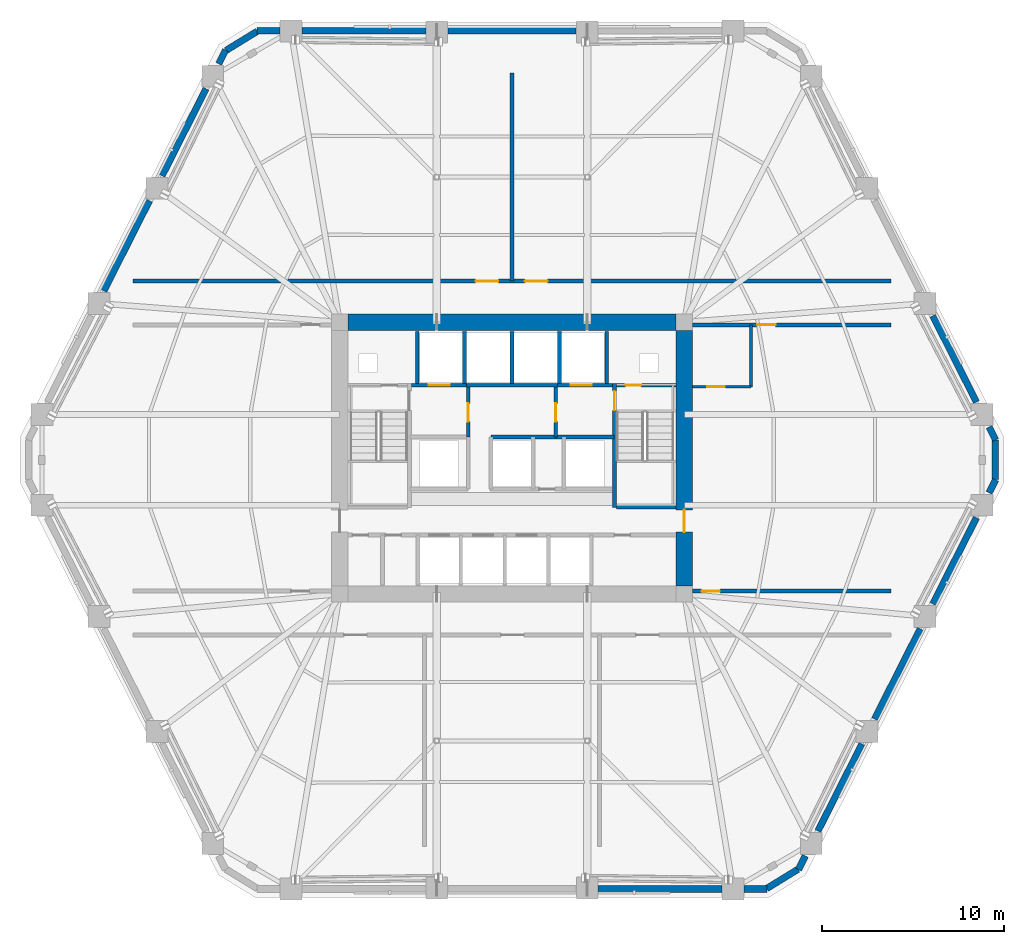
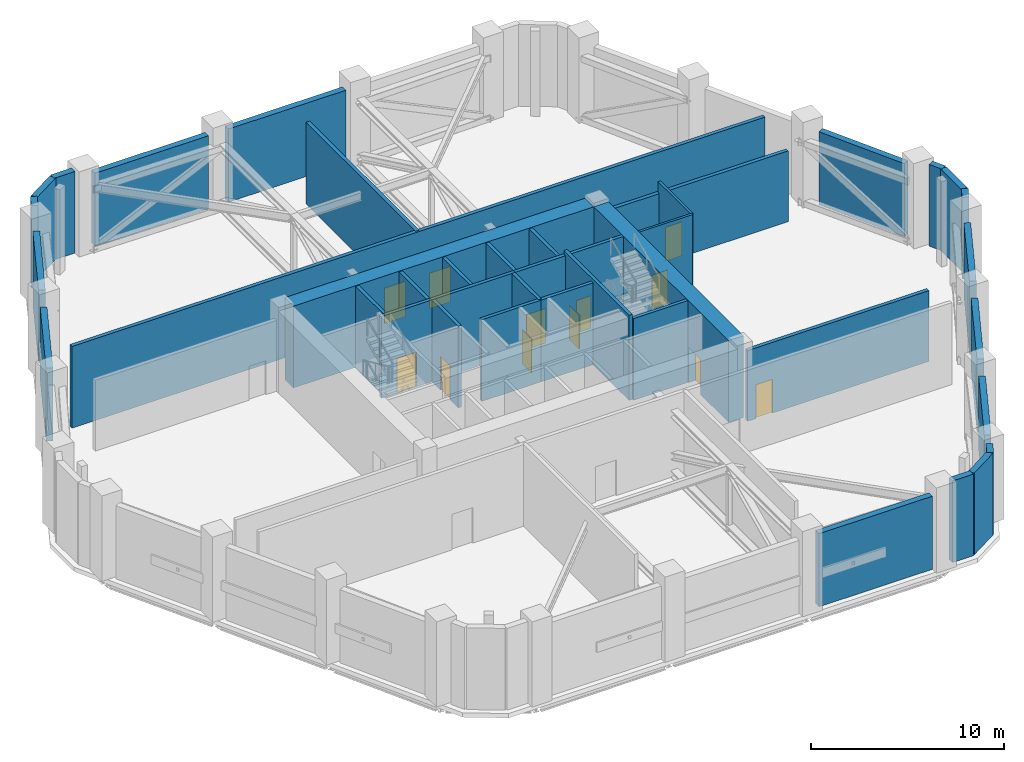
# One storey, part 12 of 19: 41 walls, 12 doors, 12 openings.
"""IFC4 building model written with IfcOpenShell, lengths in metres."""

from ifc_helpers import new_model, si_unit, direction, frame, frame_2d, origin, place, context, subcontext, project, spatial, rectangle, extrude, material, layer, layer_set, type_object, element, fill, save


model = new_model("IFC4")

# Units and contexts
model_context = context("Model", 3, precision=1e-05, world=origin(), true_north=direction((0.0, 1.0)))
body_context = subcontext(model_context, "Body", "Model", "MODEL_VIEW")
ifc_project = project(units=[si_unit("LENGTHUNIT", "METRE"), si_unit("AREAUNIT", "SQUARE_METRE"), si_unit("VOLUMEUNIT", "CUBIC_METRE"), si_unit("PLANEANGLEUNIT", "RADIAN"), si_unit("MASSUNIT", "GRAM", prefix="KILO")], contexts=[model_context])

# Site, building, storey
site_placement = place(None, origin())
site = spatial("IfcSite", under=ifc_project, at=site_placement, CompositionType="ELEMENT")
building_placement = place(site_placement, origin())
building = spatial("IfcBuilding", under=site, at=building_placement, Name="Cinnabar Lancet Tower", CompositionType="ELEMENT")
storey_placement = place(building_placement, frame((0.0, 0.0, 74.60009765625)))
storey = spatial("IfcBuildingStorey", under=building, at=storey_placement, Name="L19", CompositionType="ELEMENT", Elevation=74.60009765625)

# Wall, opening, door
ifc_material_1 = material(Name="Acoustic masonry plant room wall", Category="masonry")
ifc_layer_1 = layer(ifc_material_1, 0.219970703125)
ifc_layer_set_1 = layer_set([ifc_layer_1], Name="Acoustic masonry plant room wall")
wall_type_1 = type_object("IfcWallType", Name="ARC-WL-PLANT-220", PredefinedType="PARTITIONING", material=ifc_layer_set_1)
wall_1_placement = place(storey_placement, frame((42.300048828125, 18.60009765625, 0.0), z_axis=(0.0, 0.0, 1.0), x_axis=(1.0, 0.0, 0.0)))
wall_1 = element("IfcWall", 1, at=wall_1_placement, inside=storey, type_object=wall_type_1, Name="PW-L19-RFES", PredefinedType="PARTITIONING", context=body_context, shape_type="SweptSolid", body=[
    extrude(rectangle(XDim=10.867919921875, YDim=0.219970703125, at=frame_2d((5.43408203125, 0.0))), origin(), (0.0, 0.0, 1.0), 4.48681640625),
])
opening_1_placement = place(wall_1_placement, frame((0.5, 0.0, 0.0)))
opening_1 = element("IfcOpeningElement", 2, at=opening_1_placement, cuts=wall_1, Name="Opening FD-01", PredefinedType="OPENING", context=body_context, shape_type="SweptSolid", body=[
    extrude(rectangle(XDim=1.0, YDim=2.14990234375, at=frame_2d((0.5, 1.074951171875))), frame((0.0, 0.119873046875, 0.0), z_axis=(0.0, -1.0, 0.0), x_axis=(1.0, 0.0, 0.0)), (0.0, 0.0, 1.0), 0.239990234375),
])
ifc_material_2 = material(Name="Fire-rated timber-core lobby door", Category="wood")
door_type_1 = type_object("IfcDoorType", Name="ARC-DR-FFAL", OperationType="NOTDEFINED", PredefinedType="DOOR", material=ifc_material_2)
door_1_placement = place(opening_1_placement, origin())
door_1 = element("IfcDoor", 3, at=door_1_placement, inside=storey, type_object=door_type_1, Name="L19 Plant Corridor Fire Door RES", OperationType="SINGLE_SWING_LEFT", OverallHeight=2.14990234375, OverallWidth=1.0, PredefinedType="DOOR", context=body_context, shape_type="SweptSolid", body=[
    extrude(rectangle(XDim=1.0, YDim=2.14990234375, at=frame_2d((0.5, 1.074951171875))), frame((0.0, 0.02490234375, 0.0), z_axis=(0.0, -1.0, 0.0), x_axis=(1.0, 0.0, 0.0)), (0.0, 0.0, 1.0), 0.050048828125),
])
fill(opening_1, door_1)

wall_2_placement = place(storey_placement, frame((42.300048828125, 33.199951171875, 0.0), z_axis=(0.0, 0.0, 1.0), x_axis=(1.0, 0.0, 0.0)))
wall_2 = element("IfcWall", 4, at=wall_2_placement, inside=storey, type_object=wall_type_1, Name="PW-L19-RFEN", PredefinedType="PARTITIONING", context=body_context, shape_type="SweptSolid", body=[
    extrude(rectangle(XDim=10.867919921875, YDim=0.219970703125, at=frame_2d((5.43408203125, 0.0))), origin(), (0.0, 0.0, 1.0), 4.48681640625),
])
opening_2_placement = place(wall_2_placement, frame((3.550048828125, 0.0, 0.0)))
opening_2 = element("IfcOpeningElement", 5, at=opening_2_placement, cuts=wall_2, Name="Opening FD-01", PredefinedType="OPENING", context=body_context, shape_type="SweptSolid", body=[
    extrude(rectangle(XDim=1.0, YDim=2.14990234375, at=frame_2d((0.5, 1.074951171875))), frame((0.0, 0.119873046875, 0.0), z_axis=(0.0, -1.0, 0.0), x_axis=(1.0, 0.0, 0.0)), (0.0, 0.0, 1.0), 0.239990234375),
])
door_2_placement = place(opening_2_placement, origin())
door_2 = element("IfcDoor", 6, at=door_2_placement, inside=storey, type_object=door_type_1, Name="L19 Plant Corridor Fire Door REN", OperationType="SINGLE_SWING_LEFT", OverallHeight=2.14990234375, OverallWidth=1.0, PredefinedType="DOOR", context=body_context, shape_type="SweptSolid", body=[
    extrude(rectangle(XDim=1.0, YDim=2.14990234375, at=frame_2d((0.5, 1.074951171875))), frame((0.0, 0.02490234375, 0.0), z_axis=(0.0, -1.0, 0.0), x_axis=(1.0, 0.0, 0.0)), (0.0, 0.0, 1.0), 0.050048828125),
])
fill(opening_2, door_2)

# Wall, openings, doors
wall_3_placement = place(storey_placement, frame((11.632080078125, 35.60009765625, 0.0), z_axis=(0.0, 0.0, 1.0), x_axis=(1.0, 0.0, 0.0)))
wall_3 = element("IfcWall", 7, at=wall_3_placement, inside=storey, type_object=wall_type_1, Name="PW-L19-NPLN", PredefinedType="PARTITIONING", context=body_context, shape_type="SweptSolid", body=[
    extrude(rectangle(XDim=41.535888671875, YDim=0.219970703125, at=frame_2d((20.76806640625, 0.0))), origin(), (0.0, 0.0, 1.0), 5.179931640625),
])
opening_3_placement = place(wall_3_placement, frame((18.76806640625, 0.0, 0.0)))
opening_3 = element("IfcOpeningElement", 8, at=opening_3_placement, cuts=wall_3, Name="Opening PD-01", PredefinedType="OPENING", context=body_context, shape_type="SweptSolid", body=[
    extrude(rectangle(XDim=1.25, YDim=2.25, at=frame_2d((0.625, 1.125))), frame((0.0, 0.119873046875, 0.0), z_axis=(0.0, -1.0, 0.0), x_axis=(1.0, 0.0, 0.0)), (0.0, 0.0, 1.0), 0.239990234375),
])
opening_4_placement = place(wall_3_placement, frame((21.468017578125, 0.0, 0.0)))
opening_4 = element("IfcOpeningElement", 9, at=opening_4_placement, cuts=wall_3, Name="Opening PD-01", PredefinedType="OPENING", context=body_context, shape_type="SweptSolid", body=[
    extrude(rectangle(XDim=1.25, YDim=2.25, at=frame_2d((0.625, 1.125))), frame((0.0, 0.119873046875, 0.0), z_axis=(0.0, -1.0, 0.0), x_axis=(1.0, 0.0, 0.0)), (0.0, 0.0, 1.0), 0.239990234375),
])
ifc_material_3 = material(Name="Louvred fire-rated steel plant room double door", Category="steel")
door_type_2 = type_object("IfcDoorType", Name="ARC-DR-PLANT", OperationType="NOTDEFINED", PredefinedType="DOOR", material=ifc_material_3)
door_3_placement = place(opening_3_placement, origin())
door_3 = element("IfcDoor", 10, at=door_3_placement, inside=storey, type_object=door_type_2, Name="DR-L19-NPL1", OperationType="SINGLE_SWING_RIGHT", OverallHeight=2.25, OverallWidth=1.25, PredefinedType="DOOR", context=body_context, shape_type="SweptSolid", body=[
    extrude(rectangle(XDim=1.25, YDim=2.25, at=frame_2d((0.625, 1.125))), frame((0.0, 0.02490234375, 0.0), z_axis=(0.0, -1.0, 0.0), x_axis=(1.0, 0.0, 0.0)), (0.0, 0.0, 1.0), 0.050048828125),
])
fill(opening_3, door_3)
door_4_placement = place(opening_4_placement, origin())
door_4 = element("IfcDoor", 11, at=door_4_placement, inside=storey, type_object=door_type_2, Name="DR-L19-NPL2", OperationType="SINGLE_SWING_RIGHT", OverallHeight=2.25, OverallWidth=1.25, PredefinedType="DOOR", context=body_context, shape_type="SweptSolid", body=[
    extrude(rectangle(XDim=1.25, YDim=2.25, at=frame_2d((0.625, 1.125))), frame((0.0, 0.02490234375, 0.0), z_axis=(0.0, -1.0, 0.0), x_axis=(1.0, 0.0, 0.0)), (0.0, 0.0, 1.0), 0.050048828125),
])
fill(opening_4, door_4)

# Walls
wall_4_placement = place(storey_placement, frame((32.39990234375, 35.60009765625, 0.0), z_axis=(0.0, 0.0, 1.0), x_axis=(0.0, 1.0, 0.0)))
element("IfcWall", 12, at=wall_4_placement, inside=storey, type_object=wall_type_1, Name="PW-L19-NDIV", PredefinedType="PARTITIONING", context=body_context, shape_type="SweptSolid", body=[
    extrude(rectangle(XDim=11.39990234375, YDim=0.219970703125, at=frame_2d((5.699951171875, 0.0))), origin(), (0.0, 0.0, 1.0), 5.179931640625),
])
ifc_material_4 = material(Name="Autoclaved aerated concrete blockwork", Category="masonry")
ifc_layer_2 = layer(ifc_material_4, 0.199951171875)
ifc_layer_set_2 = layer_set([ifc_layer_2], Name="Autoclaved aerated concrete blockwork")
wall_type_2 = type_object("IfcWallType", Name="ARC-WL-SHAFT-200", PredefinedType="PLUMBINGWALL", material=ifc_layer_set_2)
wall_5_placement = place(storey_placement, frame((38.125, 23.199951171875, 0.0), z_axis=(0.0, 0.0, 1.0), x_axis=(1.0, 0.0, 0.0)))
element("IfcWall", 13, at=wall_5_placement, inside=storey, type_object=wall_type_2, Name="CW-ST2S-L19", PredefinedType="PLUMBINGWALL", context=body_context, shape_type="SweptSolid", body=[
    extrude(rectangle(XDim=3.27001953125, YDim=0.199951171875, at=frame_2d((1.635009765625, 0.0))), origin(), (0.0, 0.0, 1.0), 5.179931640625),
])

# Wall, opening, door
wall_6_placement = place(storey_placement, frame((26.885009765625, 29.89990234375, 0.0), z_axis=(0.0, 0.0, 1.0), x_axis=(1.0, 0.0, 0.0)))
wall_6 = element("IfcWall", 14, at=wall_6_placement, inside=storey, type_object=wall_type_2, Name="CW-FL1-L19", PredefinedType="PLUMBINGWALL", context=body_context, shape_type="SweptSolid", body=[
    extrude(rectangle(XDim=3.014892578125, YDim=0.199951171875, at=frame_2d((1.50732421875, 0.0))), origin(), (0.0, 0.0, 1.0), 5.179931640625),
])
opening_5_placement = place(wall_6_placement, frame((0.93994140625, 0.0, 0.0)))
opening_5 = element("IfcOpeningElement", 15, at=opening_5_placement, cuts=wall_6, Name="Opening LD-02", PredefinedType="OPENING", context=body_context, shape_type="SweptSolid", body=[
    extrude(rectangle(XDim=1.14990234375, YDim=2.199951171875, at=frame_2d((0.574951171875, 1.10009765625))), frame((0.0, 0.10986328125, 0.0), z_axis=(0.0, -1.0, 0.0), x_axis=(1.0, 0.0, 0.0)), (0.0, 0.0, 1.0), 0.219970703125),
])
ifc_material_5 = material(Name="Fire-rated stainless steel firefighting lift landing door", Category="steel")
door_type_3 = type_object("IfcDoorType", Name="ARC-DR-LD-FIRE", OperationType="NOTDEFINED", PredefinedType="DOOR", material=ifc_material_5)
door_5_placement = place(opening_5_placement, origin())
door_5 = element("IfcDoor", 16, at=door_5_placement, inside=storey, type_object=door_type_3, Name="L19 Firefighting Lift FL-1 Landing Door", OperationType="DOUBLE_DOOR_SLIDING", OverallHeight=2.199951171875, OverallWidth=1.14990234375, PredefinedType="DOOR", context=body_context, shape_type="SweptSolid", body=[
    extrude(rectangle(XDim=1.14990234375, YDim=2.199951171875, at=frame_2d((0.574951171875, 1.10009765625))), frame((0.0, 0.02490234375, 0.0), z_axis=(0.0, -1.0, 0.0), x_axis=(1.0, 0.0, 0.0)), (0.0, 0.0, 1.0), 0.050048828125),
])
fill(opening_5, door_5)

# Wall
wall_7_placement = place(storey_placement, frame((29.89990234375, 29.89990234375, 0.0), z_axis=(0.0, 0.0, 1.0), x_axis=(1.0, 0.0, 0.0)))
element("IfcWall", 17, at=wall_7_placement, inside=storey, type_object=wall_type_2, Name="CW-PL78-L19", PredefinedType="PLUMBINGWALL", context=body_context, shape_type="SweptSolid", body=[
    extrude(rectangle(XDim=5.0, YDim=0.199951171875, at=frame_2d((2.5, 0.0))), origin(), (0.0, 0.0, 1.0), 5.179931640625),
])

# Wall, opening, door
wall_8_placement = place(storey_placement, frame((34.89990234375, 29.89990234375, 0.0), z_axis=(0.0, 0.0, 1.0), x_axis=(1.0, 0.0, 0.0)))
wall_8 = element("IfcWall", 18, at=wall_8_placement, inside=storey, type_object=wall_type_2, Name="CW-FL2-L19", PredefinedType="PLUMBINGWALL", context=body_context, shape_type="SweptSolid", body=[
    extrude(rectangle(XDim=3.01513671875, YDim=0.199951171875, at=frame_2d((1.507568359375, 0.0))), origin(), (0.0, 0.0, 1.0), 5.179931640625),
])
opening_6_placement = place(wall_8_placement, frame((0.72509765625, 0.0, 0.0)))
opening_6 = element("IfcOpeningElement", 19, at=opening_6_placement, cuts=wall_8, Name="Opening LD-02", PredefinedType="OPENING", context=body_context, shape_type="SweptSolid", body=[
    extrude(rectangle(XDim=1.14990234375, YDim=2.199951171875, at=frame_2d((0.574951171875, 1.10009765625))), frame((0.0, 0.10986328125, 0.0), z_axis=(0.0, -1.0, 0.0), x_axis=(1.0, 0.0, 0.0)), (0.0, 0.0, 1.0), 0.219970703125),
])
door_6_placement = place(opening_6_placement, origin())
door_6 = element("IfcDoor", 20, at=door_6_placement, inside=storey, type_object=door_type_3, Name="L19 Firefighting Lift FL-2 Landing Door", OperationType="DOUBLE_DOOR_SLIDING", OverallHeight=2.199951171875, OverallWidth=1.14990234375, PredefinedType="DOOR", context=body_context, shape_type="SweptSolid", body=[
    extrude(rectangle(XDim=1.14990234375, YDim=2.199951171875, at=frame_2d((0.574951171875, 1.10009765625))), frame((0.0, 0.02490234375, 0.0), z_axis=(0.0, -1.0, 0.0), x_axis=(1.0, 0.0, 0.0)), (0.0, 0.0, 1.0), 0.050048828125),
])
fill(opening_6, door_6)

wall_9_placement = place(storey_placement, frame((38.125, 29.89990234375, 0.0), z_axis=(0.0, 0.0, 1.0), x_axis=(1.0, 0.0, 0.0)))
wall_9 = element("IfcWall", 21, at=wall_9_placement, inside=storey, type_object=wall_type_2, Name="CW-NSH-E-L19", PredefinedType="PLUMBINGWALL", context=body_context, shape_type="SweptSolid", body=[
    extrude(rectangle(XDim=3.27001953125, YDim=0.199951171875, at=frame_2d((1.635009765625, 0.0))), origin(), (0.0, 0.0, 1.0), 5.179931640625),
])
opening_7_placement = place(wall_9_placement, frame((0.5, 0.0, 0.0)))
opening_7 = element("IfcOpeningElement", 22, at=opening_7_placement, cuts=wall_9, Name="Opening PD-02", PredefinedType="OPENING", context=body_context, shape_type="SweptSolid", body=[
    extrude(rectangle(XDim=0.85009765625, YDim=2.050048828125, at=frame_2d((0.425048828125, 1.02490234375))), frame((0.0, 0.10986328125, 0.0), z_axis=(0.0, -1.0, 0.0), x_axis=(1.0, 0.0, 0.0)), (0.0, 0.0, 1.0), 0.219970703125),
])
ifc_material_6 = material(Name="Fire-rated steel riser access door", Category="steel")
door_type_4 = type_object("IfcDoorType", Name="ARC-DR-RISER", OperationType="NOTDEFINED", PredefinedType="DOOR", material=ifc_material_6)
door_7_placement = place(opening_7_placement, origin())
door_7 = element("IfcDoor", 23, at=door_7_placement, inside=storey, type_object=door_type_4, Name="L19 East Riser Access Door", OperationType="SINGLE_SWING_RIGHT", OverallHeight=2.050048828125, OverallWidth=0.85009765625, PredefinedType="DOOR", context=body_context, shape_type="SweptSolid", body=[
    extrude(rectangle(XDim=0.85009765625, YDim=2.050048828125, at=frame_2d((0.425048828125, 1.02490234375))), frame((0.0, 0.02490234375, 0.0), z_axis=(0.0, -1.0, 0.0), x_axis=(1.0, 0.0, 0.0)), (0.0, 0.0, 1.0), 0.050048828125),
])
fill(opening_7, door_7)

# Walls
for number, where, z_axis, x_axis, name in (
    (24, (27.199951171875, 30.0, 0.0), (0.0, 0.0, 1.0), (0.0, 1.0, 0.0), "CW-NSH-D1-L19"),
    (25, (29.800048828125, 30.0, 0.0), (0.0, 0.0, 1.0), (0.0, 1.0, 0.0), "CW-NSH-D2-L19"),
    (26, (32.39990234375, 30.0, 0.0), (0.0, 0.0, 1.0), (0.0, 1.0, 0.0), "CW-NSH-D3-L19"),
    (27, (35.0, 30.0, 0.0), (0.0, 0.0, 1.0), (0.0, 1.0, 0.0), "CW-NSH-D4-L19"),
    (28, (37.60009765625, 30.0, 0.0), (0.0, 0.0, 1.0), (0.0, 1.0, 0.0), "CW-NSH-D5-L19"),
):
    element("IfcWall", number, at=place(storey_placement, frame(where, z_axis=z_axis, x_axis=x_axis)), inside=storey, type_object=wall_type_2, Name=name, PredefinedType="PLUMBINGWALL", context=body_context, shape_type="SweptSolid", body=[
        extrude(rectangle(XDim=2.85009765625, YDim=0.199951171875, at=frame_2d((1.425048828125, 0.0))), origin(), (0.0, 0.0, 1.0), 5.179931640625),
    ])

# Wall, opening, door
wall_10_placement = place(storey_placement, frame((30.0, 27.050048828125, 0.0), z_axis=(0.0, 0.0, 1.0), x_axis=(0.0, 1.0, 0.0)))
wall_10 = element("IfcWall", 29, at=wall_10_placement, inside=storey, type_object=wall_type_2, Name="CW-FF1E-L19", PredefinedType="PLUMBINGWALL", context=body_context, shape_type="SweptSolid", body=[
    extrude(rectangle(XDim=2.75, YDim=0.199951171875, at=frame_2d((1.375, 0.0))), origin(), (0.0, 0.0, 1.0), 5.179931640625),
])
opening_8_placement = place(wall_10_placement, frame((0.85009765625, 0.0, 0.0)))
opening_8 = element("IfcOpeningElement", 30, at=opening_8_placement, cuts=wall_10, Name="Opening FD-01", PredefinedType="OPENING", context=body_context, shape_type="SweptSolid", body=[
    extrude(rectangle(XDim=1.0, YDim=2.14990234375, at=frame_2d((0.5, 1.074951171875))), frame((0.0, 0.10986328125, 0.0), z_axis=(0.0, -1.0, 0.0), x_axis=(1.0, 0.0, 0.0)), (0.0, 0.0, 1.0), 0.219970703125),
])
door_8_placement = place(opening_8_placement, origin())
door_8 = element("IfcDoor", 31, at=door_8_placement, inside=storey, type_object=door_type_1, Name="L19 FFAL-1 Lobby Fire Door", OperationType="SINGLE_SWING_RIGHT", OverallHeight=2.14990234375, OverallWidth=1.0, PredefinedType="DOOR", context=body_context, shape_type="SweptSolid", body=[
    extrude(rectangle(XDim=1.0, YDim=2.14990234375, at=frame_2d((0.5, 1.074951171875))), frame((0.0, 0.02490234375, 0.0), z_axis=(0.0, -1.0, 0.0), x_axis=(1.0, 0.0, 0.0)), (0.0, 0.0, 1.0), 0.050048828125),
])
fill(opening_8, door_8)

wall_11_placement = place(storey_placement, frame((34.800048828125, 27.050048828125, 0.0), z_axis=(0.0, 0.0, 1.0), x_axis=(0.0, 1.0, 0.0)))
wall_11 = element("IfcWall", 32, at=wall_11_placement, inside=storey, type_object=wall_type_2, Name="CW-FF2W-L19", PredefinedType="PLUMBINGWALL", context=body_context, shape_type="SweptSolid", body=[
    extrude(rectangle(XDim=2.75, YDim=0.199951171875, at=frame_2d((1.375, 0.0))), origin(), (0.0, 0.0, 1.0), 5.179931640625),
])
opening_9_placement = place(wall_11_placement, frame((0.85009765625, 0.0, 0.0)))
opening_9 = element("IfcOpeningElement", 33, at=opening_9_placement, cuts=wall_11, Name="Opening FD-01", PredefinedType="OPENING", context=body_context, shape_type="SweptSolid", body=[
    extrude(rectangle(XDim=1.0, YDim=2.14990234375, at=frame_2d((0.5, 1.074951171875))), frame((0.0, 0.10986328125, 0.0), z_axis=(0.0, -1.0, 0.0), x_axis=(1.0, 0.0, 0.0)), (0.0, 0.0, 1.0), 0.219970703125),
])
door_9_placement = place(opening_9_placement, origin())
door_9 = element("IfcDoor", 34, at=door_9_placement, inside=storey, type_object=door_type_1, Name="L19 FFAL-2 Lobby Fire Door", OperationType="SINGLE_SWING_LEFT", OverallHeight=2.14990234375, OverallWidth=1.0, PredefinedType="DOOR", context=body_context, shape_type="SweptSolid", body=[
    extrude(rectangle(XDim=1.0, YDim=2.14990234375, at=frame_2d((0.5, 1.074951171875))), frame((0.0, 0.02490234375, 0.0), z_axis=(0.0, -1.0, 0.0), x_axis=(1.0, 0.0, 0.0)), (0.0, 0.0, 1.0), 0.050048828125),
])
fill(opening_9, door_9)

# Walls
wall_12_placement = place(storey_placement, frame((34.800048828125, 27.050048828125, 0.0), z_axis=(0.0, 0.0, 1.0), x_axis=(1.0, 0.0, 0.0)))
element("IfcWall", 35, at=wall_12_placement, inside=storey, type_object=wall_type_2, Name="CW-FF2S-L19", PredefinedType="PLUMBINGWALL", context=body_context, shape_type="SweptSolid", body=[
    extrude(rectangle(XDim=3.199951171875, YDim=0.199951171875, at=frame_2d((1.60009765625, 0.0))), origin(), (0.0, 0.0, 1.0), 5.179931640625),
])
wall_13_placement = place(storey_placement, frame((31.25, 27.050048828125, 0.0), z_axis=(0.0, 0.0, 1.0), x_axis=(1.0, 0.0, 0.0)))
element("IfcWall", 36, at=wall_13_placement, inside=storey, type_object=wall_type_2, Name="CW-PL96N-L19", PredefinedType="PLUMBINGWALL", context=body_context, shape_type="SweptSolid", body=[
    extrude(rectangle(XDim=3.550048828125, YDim=0.199951171875, at=frame_2d((1.77490234375, 0.0))), origin(), (0.0, 0.0, 1.0), 5.179931640625),
])

# Wall, opening, door
ifc_material_7 = material(Name="Moisture-resistant cement-board plumbing wall", Category="masonry")
ifc_layer_3 = layer(ifc_material_7, 0.139892578125)
ifc_layer_set_3 = layer_set([ifc_layer_3], Name="Moisture-resistant cement-board plumbing wall")
wall_type_3 = type_object("IfcWallType", Name="ARC-WL-WET-140", PredefinedType="PLUMBINGWALL", material=ifc_layer_set_3)
wall_14_placement = place(storey_placement, frame((42.300048828125, 29.800048828125, 0.0), z_axis=(0.0, 0.0, 1.0), x_axis=(1.0, 0.0, 0.0)))
wall_14 = element("IfcWall", 37, at=wall_14_placement, inside=storey, type_object=wall_type_3, Name="PW-L19-RFWCS", PredefinedType="PLUMBINGWALL", context=body_context, shape_type="SweptSolid", body=[
    extrude(rectangle(XDim=3.199951171875, YDim=0.139892578125, at=frame_2d((1.60009765625, 0.0))), origin(), (0.0, 0.0, 1.0), 5.179931640625),
])
opening_10_placement = place(wall_14_placement, frame((0.800048828125, 0.0, 0.0)))
opening_10 = element("IfcOpeningElement", 38, at=opening_10_placement, cuts=wall_14, Name="Opening BD-02", PredefinedType="OPENING", context=body_context, shape_type="SweptSolid", body=[
    extrude(rectangle(XDim=0.9599609375, YDim=2.14990234375, at=frame_2d((0.47998046875, 1.074951171875))), frame((0.0, 0.079833984375, 0.0), z_axis=(0.0, -1.0, 0.0), x_axis=(1.0, 0.0, 0.0)), (0.0, 0.0, 1.0), 0.159912109375),
])
ifc_material_8 = material(Name="Accessible wide-leaf washroom door", Category="wood")
door_type_5 = type_object("IfcDoorType", Name="ARC-DR-ACCWC", OperationType="NOTDEFINED", PredefinedType="DOOR", material=ifc_material_8)
door_10_placement = place(opening_10_placement, origin())
door_10 = element("IfcDoor", 39, at=door_10_placement, inside=storey, type_object=door_type_5, Name="DR-L19-RFWC", OperationType="SINGLE_SWING_LEFT", OverallHeight=2.14990234375, OverallWidth=0.9599609375, PredefinedType="DOOR", context=body_context, shape_type="SweptSolid", body=[
    extrude(rectangle(XDim=0.9599609375, YDim=2.14990234375, at=frame_2d((0.47998046875, 1.074951171875))), frame((0.0, 0.02490234375, 0.0), z_axis=(0.0, -1.0, 0.0), x_axis=(1.0, 0.0, 0.0)), (0.0, 0.0, 1.0), 0.050048828125),
])
fill(opening_10, door_10)

# Walls
wall_15_placement = place(storey_placement, frame((45.5, 29.800048828125, 0.0), z_axis=(0.0, 0.0, 1.0), x_axis=(0.0, 1.0, 0.0)))
element("IfcWall", 40, at=wall_15_placement, inside=storey, type_object=wall_type_3, Name="PW-L19-RFWCE", PredefinedType="PLUMBINGWALL", context=body_context, shape_type="SweptSolid", body=[
    extrude(rectangle(XDim=3.39990234375, YDim=0.139892578125, at=frame_2d((1.699951171875, 0.0))), origin(), (0.0, 0.0, 1.0), 5.179931640625),
])
ifc_material_9 = material(Name="Dark charcoal engineering brick", Category="masonry")
ifc_layer_4 = layer(ifc_material_9, 0.360107421875)
ifc_layer_set_4 = layer_set([ifc_layer_4], Name="Dark charcoal engineering brick")
wall_type_4 = type_object("IfcWallType", Name="ENV-WL-BRK-CHR-360", PredefinedType="STANDARD", material=ifc_layer_set_4)
wall_16_placement = place(storey_placement, frame((46.363037109375, 2.306884765625, 0.0), z_axis=(0.0, 0.0, 1.0), x_axis=(0.852116176449, 0.523352674431, 0.0)))
element("IfcWall", 41, at=wall_16_placement, inside=storey, type_object=wall_type_4, Name="L19 Chamfered Corner Brick Pier 2.1", PredefinedType="STANDARD", context=body_context, shape_type="SweptSolid", body=[
    extrude(rectangle(XDim=2.012451171875, YDim=0.360107421875, at=frame_2d((1.00634765625, 0.0))), origin(), (0.0, 0.0, 1.0), 5.179931640625),
])
wall_17_placement = place(storey_placement, frame((58.887939453125, 24.717041015625, 0.0), z_axis=(0.0, 0.0, 1.0), x_axis=(0.0, 1.0, 0.0)))
element("IfcWall", 42, at=wall_17_placement, inside=storey, type_object=wall_type_4, Name="L19 Chamfered Corner Brick Pier 3.1", PredefinedType="STANDARD", context=body_context, shape_type="SweptSolid", body=[
    extrude(rectangle(XDim=2.166015625, YDim=0.360107421875, at=frame_2d((1.0830078125, 0.0))), origin(), (0.0, 0.0, 1.0), 5.179931640625),
])
wall_18_placement = place(storey_placement, frame((18.43701171875, 49.29296875, 0.0), z_axis=(0.0, 0.0, 1.0), x_axis=(-0.852203490309, -0.523210484513, 0.0)))
element("IfcWall", 43, at=wall_18_placement, inside=storey, type_object=wall_type_4, Name="L19 Chamfered Corner Brick Pier 5.1", PredefinedType="STANDARD", context=body_context, shape_type="SweptSolid", body=[
    extrude(rectangle(XDim=2.012451171875, YDim=0.360107421875, at=frame_2d((1.00634765625, 0.0))), origin(), (0.0, 0.0, 1.0), 5.179931640625),
])
wall_19_placement = place(storey_placement, frame((37.1259765625, 2.280029296875, 0.0), z_axis=(0.0, 0.0, 1.0), x_axis=(1.0, 0.0, 0.0)))
element("IfcWall", 44, at=wall_19_placement, inside=storey, type_object=wall_type_4, Name="L19 Face 1 Masonry Bay Wall 4", PredefinedType="STANDARD", context=body_context, shape_type="SweptSolid", body=[
    extrude(rectangle(XDim=6.787109375, YDim=0.360107421875, at=frame_2d((3.3935546875, 0.0))), origin(), (0.0, 0.0, 1.0), 4.636962890625),
])
wall_20_placement = place(storey_placement, frame((45.12109375, 2.280029296875, 0.0), z_axis=(0.0, 0.0, 1.0), x_axis=(1.0, 0.0, 0.0)))
element("IfcWall", 45, at=wall_20_placement, inside=storey, type_object=wall_type_4, Name="L19 Face 1 Masonry Bay Wall 5", PredefinedType="STANDARD", context=body_context, shape_type="SweptSolid", body=[
    extrude(rectangle(XDim=1.247802734375, YDim=0.360107421875, at=frame_2d((0.6240234375, 0.0))), origin(), (0.0, 0.0, 1.0), 5.179931640625),
])
wall_21_placement = place(storey_placement, frame((48.09912109375, 3.343017578125, 0.0), z_axis=(0.0, 0.0, 1.0), x_axis=(0.45153655953, 0.892252618605, 0.0)))
element("IfcWall", 46, at=wall_21_placement, inside=storey, type_object=wall_type_4, Name="L19 Face 2 Masonry Bay Wall 1", PredefinedType="STANDARD", context=body_context, shape_type="SweptSolid", body=[
    extrude(rectangle(XDim=0.834716796875, YDim=0.360107421875, at=frame_2d((0.41748046875, 0.0))), origin(), (0.0, 0.0, 1.0), 5.179931640625),
])
wall_22_placement = place(storey_placement, frame((49.1689453125, 5.4580078125, 0.0), z_axis=(0.0, 0.0, 1.0), x_axis=(0.451559361714, 0.892241078884, 0.0)))
element("IfcWall", 47, at=wall_22_placement, inside=storey, type_object=wall_type_4, Name="L19 Face 2 Masonry Bay Wall 2", PredefinedType="STANDARD", context=body_context, shape_type="SweptSolid", body=[
    extrude(rectangle(XDim=5.341796875, YDim=0.360107421875, at=frame_2d((2.6708984375, 0.0))), origin(), (0.0, 0.0, 1.0), 4.636962890625),
])
wall_23_placement = place(storey_placement, frame((52.27392578125, 11.593994140625, 0.0), z_axis=(0.0, 0.0, 1.0), x_axis=(0.451476366852, 0.892283077378, 0.0)))
element("IfcWall", 48, at=wall_23_placement, inside=storey, type_object=wall_type_4, Name="L19 Face 2 Masonry Bay Wall 3", PredefinedType="STANDARD", context=body_context, shape_type="SweptSolid", body=[
    extrude(rectangle(XDim=5.537353515625, YDim=0.360107421875, at=frame_2d((2.7685546875, 0.0))), origin(), (0.0, 0.0, 1.0), 4.636962890625),
])
wall_24_placement = place(storey_placement, frame((55.467041015625, 17.905029296875, 0.0), z_axis=(0.0, 0.0, 1.0), x_axis=(0.451432864686, 0.892305087221, 0.0)))
element("IfcWall", 49, at=wall_24_placement, inside=storey, type_object=wall_type_4, Name="L19 Face 2 Masonry Bay Wall 4", PredefinedType="STANDARD", context=body_context, shape_type="SweptSolid", body=[
    extrude(rectangle(XDim=5.2939453125, YDim=0.360107421875, at=frame_2d((2.64697265625, 0.0))), origin(), (0.0, 0.0, 1.0), 4.636962890625),
])
wall_25_placement = place(storey_placement, frame((58.550048828125, 23.9990234375, 0.0), z_axis=(0.0, 0.0, 1.0), x_axis=(0.451620183484, 0.892210294645, 0.0)))
element("IfcWall", 50, at=wall_25_placement, inside=storey, type_object=wall_type_4, Name="L19 Face 2 Masonry Bay Wall 5", PredefinedType="STANDARD", context=body_context, shape_type="SweptSolid", body=[
    extrude(rectangle(XDim=0.796875, YDim=0.360107421875, at=frame_2d((0.3984375, 0.0))), origin(), (0.0, 0.0, 1.0), 5.179931640625),
])
wall_26_placement = place(storey_placement, frame((58.909912109375, 26.889892578125, 0.0), z_axis=(0.0, 0.0, 1.0), x_axis=(-0.451496755701, 0.892272760758, 0.0)))
element("IfcWall", 51, at=wall_26_placement, inside=storey, type_object=wall_type_4, Name="L19 Face 3 Masonry Bay Wall 1", PredefinedType="STANDARD", context=body_context, shape_type="SweptSolid", body=[
    extrude(rectangle(XDim=0.797119140625, YDim=0.360107421875, at=frame_2d((0.3984375, 0.0))), origin(), (0.0, 0.0, 1.0), 5.179931640625),
])
wall_27_placement = place(storey_placement, frame((57.85693359375, 28.970947265625, 0.0), z_axis=(0.0, 0.0, 1.0), x_axis=(-0.45141428896, 0.892314484766, 0.0)))
element("IfcWall", 52, at=wall_27_placement, inside=storey, type_object=wall_type_4, Name="L19 Face 3 Masonry Bay Wall 2", PredefinedType="STANDARD", context=body_context, shape_type="SweptSolid", body=[
    extrude(rectangle(XDim=5.294189453125, YDim=0.360107421875, at=frame_2d((2.64697265625, 0.0))), origin(), (0.0, 0.0, 1.0), 4.636962890625),
])
wall_28_placement = place(storey_placement, frame((35.91796875, 49.320068359375, 0.0), z_axis=(0.0, 0.0, 1.0), x_axis=(-1.0, 0.0, 0.0)))
element("IfcWall", 53, at=wall_28_placement, inside=storey, type_object=wall_type_4, Name="L19 Face 4 Masonry Bay Wall 3", PredefinedType="STANDARD", context=body_context, shape_type="SweptSolid", body=[
    extrude(rectangle(XDim=7.035888671875, YDim=0.360107421875, at=frame_2d((3.51806640625, 0.0))), origin(), (0.0, 0.0, 1.0), 4.636962890625),
])
wall_29_placement = place(storey_placement, frame((27.674072265625, 49.320068359375, 0.0), z_axis=(0.0, 0.0, 1.0), x_axis=(-1.0, 0.0, 0.0)))
element("IfcWall", 54, at=wall_29_placement, inside=storey, type_object=wall_type_4, Name="L19 Face 4 Masonry Bay Wall 4", PredefinedType="STANDARD", context=body_context, shape_type="SweptSolid", body=[
    extrude(rectangle(XDim=6.787109375, YDim=0.360107421875, at=frame_2d((3.3935546875, 0.0))), origin(), (0.0, 0.0, 1.0), 4.636962890625),
])
wall_30_placement = place(storey_placement, frame((19.678955078125, 49.320068359375, 0.0), z_axis=(0.0, 0.0, 1.0), x_axis=(-1.0, 0.0, 0.0)))
element("IfcWall", 55, at=wall_30_placement, inside=storey, type_object=wall_type_4, Name="L19 Face 4 Masonry Bay Wall 5", PredefinedType="STANDARD", context=body_context, shape_type="SweptSolid", body=[
    extrude(rectangle(XDim=1.248046875, YDim=0.360107421875, at=frame_2d((0.6240234375, 0.0))), origin(), (0.0, 0.0, 1.0), 5.179931640625),
])
wall_31_placement = place(storey_placement, frame((16.700927734375, 48.257080078125, 0.0), z_axis=(0.0, 0.0, 1.0), x_axis=(-0.451418764337, -0.892312220697, 0.0)))
element("IfcWall", 56, at=wall_31_placement, inside=storey, type_object=wall_type_4, Name="L19 Face 5 Masonry Bay Wall 1", PredefinedType="STANDARD", context=body_context, shape_type="SweptSolid", body=[
    extrude(rectangle(XDim=0.8349609375, YDim=0.360107421875, at=frame_2d((0.41748046875, 0.0))), origin(), (0.0, 0.0, 1.0), 5.179931640625),
])
wall_32_placement = place(storey_placement, frame((15.631103515625, 46.14208984375, 0.0), z_axis=(0.0, 0.0, 1.0), x_axis=(-0.451559361714, -0.892241078884, 0.0)))
element("IfcWall", 57, at=wall_32_placement, inside=storey, type_object=wall_type_4, Name="L19 Face 5 Masonry Bay Wall 2", PredefinedType="STANDARD", context=body_context, shape_type="SweptSolid", body=[
    extrude(rectangle(XDim=5.341796875, YDim=0.360107421875, at=frame_2d((2.6708984375, 0.0))), origin(), (0.0, 0.0, 1.0), 4.636962890625),
])
wall_33_placement = place(storey_placement, frame((12.52587890625, 40.006103515625, 0.0), z_axis=(0.0, 0.0, 1.0), x_axis=(-0.451458606243, -0.892292063648, 0.0)))
element("IfcWall", 58, at=wall_33_placement, inside=storey, type_object=wall_type_4, Name="L19 Face 5 Masonry Bay Wall 3", PredefinedType="STANDARD", context=body_context, shape_type="SweptSolid", body=[
    extrude(rectangle(XDim=5.53759765625, YDim=0.360107421875, at=frame_2d((2.768798828125, 0.0))), origin(), (0.0, 0.0, 1.0), 4.636962890625),
])
ifc_material_10 = material(Name="Concrete C80/95", Category="concrete")
ifc_layer_5 = layer(ifc_material_10, 0.89990234375)
ifc_layer_set_5 = layer_set([ifc_layer_5], Name="Concrete C80/95")
wall_type_5 = type_object("IfcWallType", Name="STR-WL-CORE-900", PredefinedType="SHEAR", material=ifc_layer_set_5)
wall_34_placement = place(storey_placement, frame((23.39990234375, 33.35009765625, 0.0), z_axis=(0.0, 0.0, 1.0), x_axis=(1.0, 0.0, 0.0)))
element("IfcWall", 59, at=wall_34_placement, inside=storey, type_object=wall_type_5, Name="L19 Core Shear Wall N", PredefinedType="SHEAR", context=body_context, shape_type="SweptSolid", body=[
    extrude(rectangle(XDim=18.0, YDim=0.89990234375, at=frame_2d((9.0, 0.0))), origin(), (0.0, 0.0, 1.0), 5.179931640625),
])

# Wall, opening, door
wall_35_placement = place(storey_placement, frame((41.85009765625, 18.89990234375, 0.0), z_axis=(0.0, 0.0, 1.0), x_axis=(0.0, 1.0, 0.0)))
wall_35 = element("IfcWall", 60, at=wall_35_placement, inside=storey, type_object=wall_type_5, Name="L19 Core Shear Wall E", PredefinedType="SHEAR", context=body_context, shape_type="SweptSolid", body=[
    extrude(rectangle(XDim=14.0, YDim=0.89990234375, at=frame_2d((7.0, 0.0))), origin(), (0.0, 0.0, 1.0), 5.179931640625),
])
opening_11_placement = place(wall_35_placement, frame((2.93994140625, 0.0, 0.0)))
opening_11 = element("IfcOpeningElement", 61, at=opening_11_placement, cuts=wall_35, Name="Opening FD-02", PredefinedType="OPENING", context=body_context, shape_type="SweptSolid", body=[
    extrude(rectangle(XDim=1.219970703125, YDim=2.25, at=frame_2d((0.60986328125, 1.125))), frame((0.0, 0.4599609375, 0.0), z_axis=(0.0, -1.0, 0.0), x_axis=(1.0, 0.0, 0.0)), (0.0, 0.0, 1.0), 0.919921875),
])
ifc_material_11 = material(Name="Fire-rated double-vision core portal door", Category="wood")
door_type_6 = type_object("IfcDoorType", Name="ARC-DR-CPORT", OperationType="NOTDEFINED", PredefinedType="DOOR", material=ifc_material_11)
door_11_placement = place(opening_11_placement, origin())
door_11 = element("IfcDoor", 62, at=door_11_placement, inside=storey, type_object=door_type_6, Name="L19 East Core Lobby Fire Door", OperationType="SINGLE_SWING_LEFT", OverallHeight=2.25, OverallWidth=1.219970703125, PredefinedType="DOOR", context=body_context, shape_type="SweptSolid", body=[
    extrude(rectangle(XDim=1.219970703125, YDim=2.25, at=frame_2d((0.60986328125, 1.125))), frame((0.0, 0.02490234375, 0.0), z_axis=(0.0, -1.0, 0.0), x_axis=(1.0, 0.0, 0.0)), (0.0, 0.0, 1.0), 0.050048828125),
])
fill(opening_11, door_11)

ifc_material_12 = material(Name="Concrete C50/60", Category="concrete")
ifc_layer_6 = layer(ifc_material_12, 0.199951171875)
ifc_layer_set_6 = layer_set([ifc_layer_6], Name="Concrete C50/60")
wall_type_6 = type_object("IfcWallType", Name="STR-WL-STAIR-200", PredefinedType="SHEAR", material=ifc_layer_set_6)
wall_36_placement = place(storey_placement, frame((38.02001953125, 23.199951171875, 0.0), z_axis=(0.0, 0.0, 1.0), x_axis=(0.0, 1.0, 0.0)))
wall_36 = element("IfcWall", 63, at=wall_36_placement, inside=storey, type_object=wall_type_6, Name="L19 Stair ST-2 Structural Enclosure Wall", PredefinedType="SHEAR", context=body_context, shape_type="SweptSolid", body=[
    extrude(rectangle(XDim=6.780029296875, YDim=0.199951171875, at=frame_2d((3.39013671875, 0.0))), origin(), (0.0, 0.0, 1.0), 5.39990234375),
])
opening_12_placement = place(wall_36_placement, frame((5.320068359375, 0.0, 0.0)))
opening_12 = element("IfcOpeningElement", 64, at=opening_12_placement, cuts=wall_36, Name="Opening SD-01", PredefinedType="OPENING", context=body_context, shape_type="SweptSolid", body=[
    extrude(rectangle(XDim=1.050048828125, YDim=2.14990234375, at=frame_2d((0.52490234375, 1.074951171875))), frame((0.0, 0.10986328125, 0.0), z_axis=(0.0, -1.0, 0.0), x_axis=(1.0, 0.0, 0.0)), (0.0, 0.0, 1.0), 0.219970703125),
])
ifc_material_13 = material(Name="Fire-rated steel stair exit door", Category="steel")
door_type_7 = type_object("IfcDoorType", Name="ARC-DR-STAIR", OperationType="NOTDEFINED", PredefinedType="DOOR", material=ifc_material_13)
door_12_placement = place(opening_12_placement, origin())
door_12 = element("IfcDoor", 65, at=door_12_placement, inside=storey, type_object=door_type_7, Name="L19 Stair ST-2 Fire Door", OperationType="SINGLE_SWING_RIGHT", OverallHeight=2.14990234375, OverallWidth=1.050048828125, PredefinedType="DOOR", context=body_context, shape_type="SweptSolid", body=[
    extrude(rectangle(XDim=1.050048828125, YDim=2.14990234375, at=frame_2d((0.52490234375, 1.074951171875))), frame((0.0, 0.02490234375, 0.0), z_axis=(0.0, -1.0, 0.0), x_axis=(1.0, 0.0, 0.0)), (0.0, 0.0, 1.0), 0.050048828125),
])
fill(opening_12, door_12)

save(model, "model.ifc")
